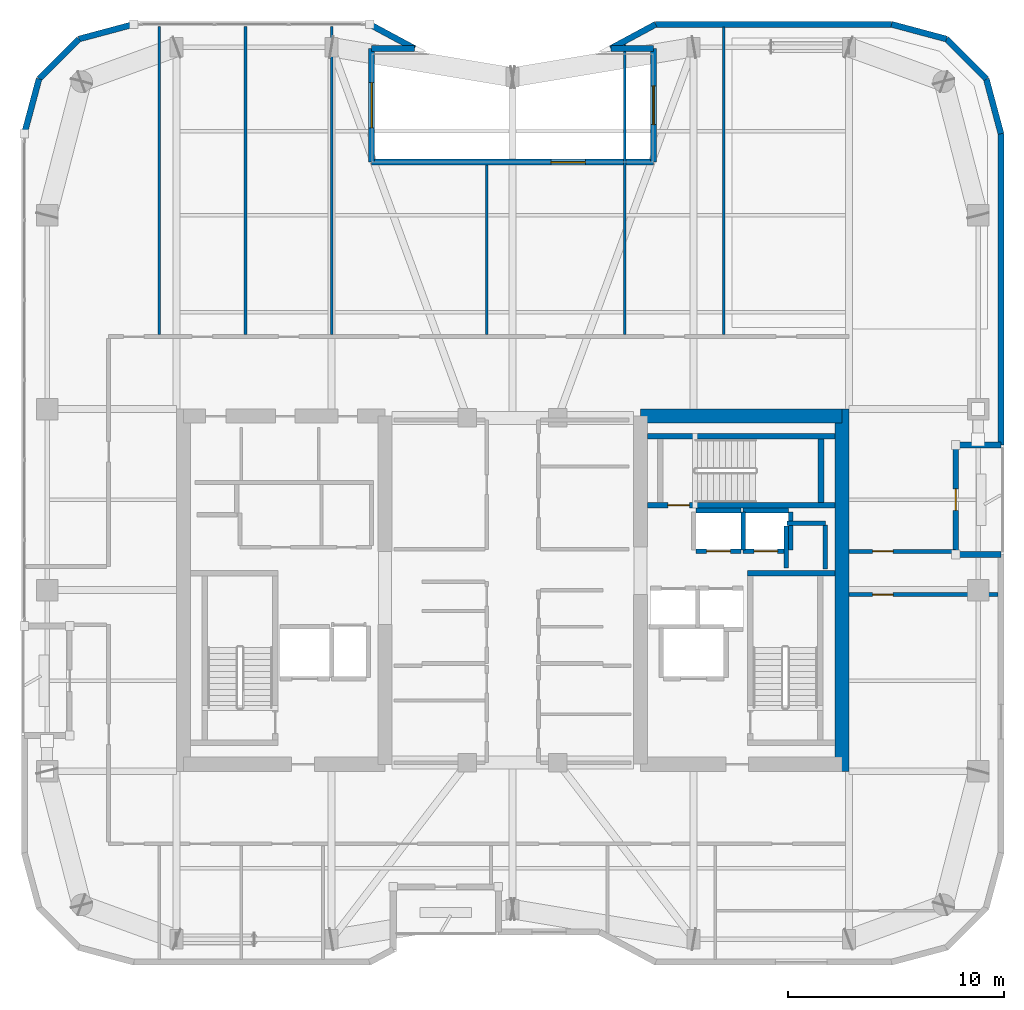
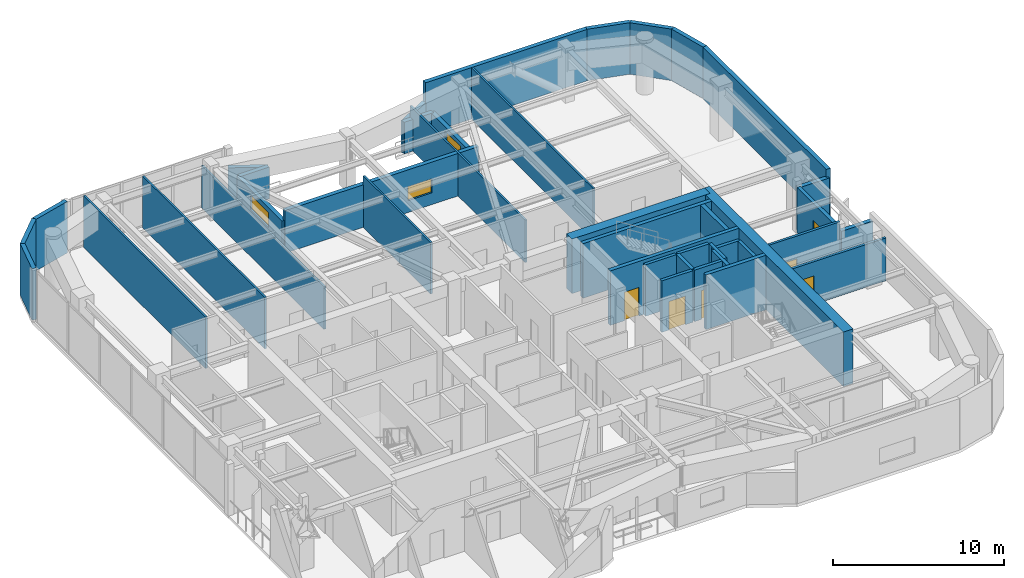
# One storey, part 18 of 22: 41 walls, 6 doors, 3 windows, 9 openings.
"""IFC4 building model written with IfcOpenShell, lengths in metres."""

from ifc_helpers import new_model, si_unit, direction, frame, frame_2d, origin, place, context, subcontext, project, spatial, rectangle, extrude, material, layer, layer_set, type_object, element, fill, save


model = new_model("IFC4")

# Units and contexts
model_context = context("Model", 3, precision=1e-05, world=origin(), true_north=direction((0.0, 1.0)))
body_context = subcontext(model_context, "Body", "Model", "MODEL_VIEW")
ifc_project = project(units=[si_unit("LENGTHUNIT", "METRE"), si_unit("AREAUNIT", "SQUARE_METRE"), si_unit("VOLUMEUNIT", "CUBIC_METRE"), si_unit("PLANEANGLEUNIT", "RADIAN"), si_unit("MASSUNIT", "GRAM", prefix="KILO")], contexts=[model_context])

# Site, building, storey
site_placement = place(None, origin())
site = spatial("IfcSite", under=ifc_project, at=site_placement, CompositionType="ELEMENT")
building_placement = place(site_placement, origin())
building = spatial("IfcBuilding", under=site, at=building_placement, Name="Kiyonajd Concourse Tower", CompositionType="ELEMENT")
storey_placement = place(building_placement, frame((0.0, 0.0, 243.300048828125)))
storey = spatial("IfcBuildingStorey", under=building, at=storey_placement, Name="L61", CompositionType="ELEMENT", Elevation=243.300048828125)

# Walls
ifc_material_1 = material(Name="Concrete C60/75", Category="concrete")
ifc_layer_1 = layer(ifc_material_1, 0.64990234375)
ifc_layer_set_1 = layer_set([ifc_layer_1], Name="Concrete C60/75")
wall_type_1 = type_object("IfcWallType", Name="WL-CORE-650", PredefinedType="SHEAR", material=ifc_layer_set_1)
wall_1_placement = place(storey_placement, frame((63.27490234375, 27.60009765625, 0.0), z_axis=(0.0, 0.0, 1.0), x_axis=(0.0, 1.0, 0.0)))
element("IfcWall", 1, at=wall_1_placement, inside=storey, type_object=wall_type_1, Name="L61 East Core Outer Shear Wall", PredefinedType="SHEAR", context=body_context, shape_type="SweptSolid", body=[
    extrude(rectangle(XDim=16.7998046875, YDim=0.64990234375, at=frame_2d((8.39990234375, 0.0))), origin(), (0.0, 0.0, 1.0), 3.89990234375),
])
wall_2_placement = place(storey_placement, frame((53.925048828125, 44.074951171875, 0.0), z_axis=(0.0, 0.0, 1.0), x_axis=(1.0, 0.0, 0.0)))
element("IfcWall", 2, at=wall_2_placement, inside=storey, type_object=wall_type_1, Name="L61 East Core North Shear Wall", PredefinedType="SHEAR", context=body_context, shape_type="SweptSolid", body=[
    extrude(rectangle(XDim=9.349853515625, YDim=0.64990234375, at=frame_2d((4.6748046875, 0.0))), origin(), (0.0, 0.0, 1.0), 3.89990234375),
])
ifc_material_2 = material(Name="Precast concrete C50/60", Category="concrete")
ifc_layer_2 = layer(ifc_material_2, 0.280029296875)
ifc_layer_set_2 = layer_set([ifc_layer_2], Name="Precast concrete C50/60")
wall_type_2 = type_object("IfcWallType", Name="WL-EXT-280", PredefinedType="SOLIDWALL", material=ifc_layer_set_2)
wall_3_placement = place(storey_placement, frame((25.340087890625, 57.181640625, 0.0), z_axis=(0.0, 0.0, 1.0), x_axis=(0.2588904131, 0.965906700466, 0.0)))
element("IfcWall", 3, at=wall_3_placement, inside=storey, type_object=wall_type_2, Name="L61 Exterior Concrete Frame Wall 06", PredefinedType="SOLIDWALL", context=body_context, shape_type="SweptSolid", body=[
    extrude(rectangle(XDim=2.6357421875, YDim=0.280029296875, at=frame_2d((1.31787109375, 0.0))), origin(), (0.0, 0.0, 1.0), 3.679931640625),
])
wall_4_placement = place(storey_placement, frame((26.0224609375, 59.7275390625, 0.0), z_axis=(0.0, 0.0, 1.0), x_axis=(0.707153437963, 0.707060121331, 0.0)))
element("IfcWall", 4, at=wall_4_placement, inside=storey, type_object=wall_type_2, Name="L61 Exterior Concrete Frame Wall 07", PredefinedType="SOLIDWALL", context=body_context, shape_type="SweptSolid", body=[
    extrude(rectangle(XDim=2.6162109375, YDim=0.280029296875, at=frame_2d((1.30810546875, 0.0))), origin(), (0.0, 0.0, 1.0), 3.679931640625),
])
wall_5_placement = place(storey_placement, frame((27.87255859375, 61.577392578125, 0.0), z_axis=(0.0, 0.0, 1.0), x_axis=(0.965883534663, 0.258976828051, 0.0)))
element("IfcWall", 5, at=wall_5_placement, inside=storey, type_object=wall_type_2, Name="L61 Exterior Concrete Frame Wall 08", PredefinedType="SOLIDWALL", context=body_context, shape_type="SweptSolid", body=[
    extrude(rectangle(XDim=2.6357421875, YDim=0.280029296875, at=frame_2d((1.31787109375, 0.0))), origin(), (0.0, 0.0, 1.0), 3.679931640625),
])
wall_6_placement = place(storey_placement, frame((41.36474609375, 62.260009765625, 0.0), z_axis=(0.0, 0.0, 1.0), x_axis=(0.880434593123, -0.474167615125, 0.0)))
element("IfcWall", 6, at=wall_6_placement, inside=storey, type_object=wall_type_2, Name="L61 Exterior Concrete Frame Wall 10", PredefinedType="SOLIDWALL", context=body_context, shape_type="SweptSolid", body=[
    extrude(rectangle(XDim=2.3623046875, YDim=0.280029296875, at=frame_2d((1.18115234375, 0.0))), origin(), (0.0, 0.0, 1.0), 2.264892578125),
])
wall_7_placement = place(storey_placement, frame((43.444580078125, 61.139892578125, 0.0), z_axis=(0.0, 0.0, 1.0), x_axis=(-1.0, 0.0, 0.0)))
element("IfcWall", 7, at=wall_7_placement, inside=storey, type_object=wall_type_2, Name="L61 Exterior Concrete Frame Wall 11", PredefinedType="SOLIDWALL", context=body_context, shape_type="SweptSolid", body=[
    extrude(rectangle(XDim=1.984619140625, YDim=0.280029296875, at=frame_2d((0.9921875, 0.0))), origin(), (0.0, 0.0, 1.0), 2.264892578125),
])

# Wall, opening, window
wall_8_placement = place(storey_placement, frame((41.4599609375, 61.139892578125, 0.0), z_axis=(0.0, 0.0, 1.0), x_axis=(0.0, -1.0, 0.0)))
wall_8 = element("IfcWall", 8, at=wall_8_placement, inside=storey, type_object=wall_type_2, Name="L61 Exterior Concrete Frame Wall 12", PredefinedType="SOLIDWALL", context=body_context, shape_type="SweptSolid", body=[
    extrude(rectangle(XDim=5.27978515625, YDim=0.280029296875, at=frame_2d((2.639892578125, 0.0))), origin(), (0.0, 0.0, 1.0), 2.264892578125),
])
opening_1_placement = place(wall_8_placement, frame((1.590087890625, 0.0, 0.85009765625)))
opening_1 = element("IfcOpeningElement", 9, at=opening_1_placement, cuts=wall_8, Name="Opening WN5", PredefinedType="OPENING", context=body_context, shape_type="SweptSolid", body=[
    extrude(rectangle(XDim=2.10009765625, YDim=1.050048828125, at=frame_2d((1.050048828125, 0.52490234375))), frame((0.0, 0.14990234375, 0.0), z_axis=(0.0, -1.0, 0.0), x_axis=(1.0, 0.0, 0.0)), (0.0, 0.0, 1.0), 0.300048828125),
])
ifc_material_3 = material(Name="Double Low-E Insulated Glass", Category="glass")
window_type_1 = type_object("IfcWindowType", Name="WN-VIS-2100x1050", PartitioningType="SINGLE_PANEL", PredefinedType="WINDOW", material=ifc_material_3)
window_1_placement = place(opening_1_placement, origin())
window_1 = element("IfcWindow", 10, at=window_1_placement, inside=storey, type_object=window_type_1, Name="L61 Modular Facade Vision Window 12", OverallHeight=1.050048828125, OverallWidth=2.10009765625, PartitioningType="SINGLE_PANEL", PredefinedType="WINDOW", context=body_context, shape_type="SweptSolid", body=[
    extrude(rectangle(XDim=2.10009765625, YDim=1.050048828125, at=frame_2d((1.050048828125, 0.52490234375))), frame((0.0, 0.030029296875, 0.0), z_axis=(0.0, -1.0, 0.0), x_axis=(1.0, 0.0, 0.0)), (0.0, 0.0, 1.0), 0.06005859375),
])
fill(opening_1, window_1)

wall_9_placement = place(storey_placement, frame((41.4599609375, 55.860107421875, 0.0), z_axis=(0.0, 0.0, 1.0), x_axis=(1.0, 0.0, 0.0)))
wall_9 = element("IfcWall", 11, at=wall_9_placement, inside=storey, type_object=wall_type_2, Name="L61 Exterior Concrete Frame Wall 13", PredefinedType="SOLIDWALL", context=body_context, shape_type="SweptSolid", body=[
    extrude(rectangle(XDim=13.080078125, YDim=0.280029296875, at=frame_2d((6.5400390625, 0.0))), origin(), (0.0, 0.0, 1.0), 3.04296875),
])
opening_2_placement = place(wall_9_placement, frame((8.31494140625, 0.0, 0.85009765625)))
opening_2 = element("IfcOpeningElement", 12, at=opening_2_placement, cuts=wall_9, Name="Opening WN6", PredefinedType="OPENING", context=body_context, shape_type="SweptSolid", body=[
    extrude(rectangle(XDim=1.60009765625, YDim=1.0, at=frame_2d((0.800048828125, 0.5))), frame((0.0, 0.14990234375, 0.0), z_axis=(0.0, -1.0, 0.0), x_axis=(1.0, 0.0, 0.0)), (0.0, 0.0, 1.0), 0.300048828125),
])
window_type_2 = type_object("IfcWindowType", Name="WN-VIS-1600x1000", PartitioningType="SINGLE_PANEL", PredefinedType="WINDOW", material=ifc_material_3)
window_2_placement = place(opening_2_placement, origin())
window_2 = element("IfcWindow", 13, at=window_2_placement, inside=storey, type_object=window_type_2, Name="L61 Modular Facade Vision Window 13", OverallHeight=1.0, OverallWidth=1.60009765625, PartitioningType="SINGLE_PANEL", PredefinedType="WINDOW", context=body_context, shape_type="SweptSolid", body=[
    extrude(rectangle(XDim=1.60009765625, YDim=1.0, at=frame_2d((0.800048828125, 0.5))), frame((0.0, 0.030029296875, 0.0), z_axis=(0.0, -1.0, 0.0), x_axis=(1.0, 0.0, 0.0)), (0.0, 0.0, 1.0), 0.06005859375),
])
fill(opening_2, window_2)

wall_10_placement = place(storey_placement, frame((54.5400390625, 55.860107421875, 0.0), z_axis=(0.0, 0.0, 1.0), x_axis=(0.0, 1.0, 0.0)))
wall_10 = element("IfcWall", 14, at=wall_10_placement, inside=storey, type_object=wall_type_2, Name="L61 Exterior Concrete Frame Wall 14", PredefinedType="SOLIDWALL", context=body_context, shape_type="SweptSolid", body=[
    extrude(rectangle(XDim=5.27978515625, YDim=0.280029296875, at=frame_2d((2.639892578125, 0.0))), origin(), (0.0, 0.0, 1.0), 2.264892578125),
])
opening_3_placement = place(wall_10_placement, frame((1.739990234375, 0.0, 0.85009765625)))
opening_3 = element("IfcOpeningElement", 15, at=opening_3_placement, cuts=wall_10, Name="Opening WN1", PredefinedType="OPENING", context=body_context, shape_type="SweptSolid", body=[
    extrude(rectangle(XDim=1.800048828125, YDim=1.10009765625, at=frame_2d((0.89990234375, 0.550048828125))), frame((0.0, 0.14990234375, 0.0), z_axis=(0.0, -1.0, 0.0), x_axis=(1.0, 0.0, 0.0)), (0.0, 0.0, 1.0), 0.300048828125),
])
window_type_3 = type_object("IfcWindowType", Name="WN-VIS-1800x1100", PartitioningType="SINGLE_PANEL", PredefinedType="WINDOW", material=ifc_material_3)
window_3_placement = place(opening_3_placement, origin())
window_3 = element("IfcWindow", 16, at=window_3_placement, inside=storey, type_object=window_type_3, Name="L61 Modular Facade Vision Window 14", OverallHeight=1.10009765625, OverallWidth=1.800048828125, PartitioningType="SINGLE_PANEL", PredefinedType="WINDOW", context=body_context, shape_type="SweptSolid", body=[
    extrude(rectangle(XDim=1.800048828125, YDim=1.10009765625, at=frame_2d((0.89990234375, 0.550048828125))), frame((0.0, 0.030029296875, 0.0), z_axis=(0.0, -1.0, 0.0), x_axis=(1.0, 0.0, 0.0)), (0.0, 0.0, 1.0), 0.06005859375),
])
fill(opening_3, window_3)

# Walls
wall_11_placement = place(storey_placement, frame((54.5400390625, 61.139892578125, 0.0), z_axis=(0.0, 0.0, 1.0), x_axis=(-1.0, 0.0, 0.0)))
element("IfcWall", 17, at=wall_11_placement, inside=storey, type_object=wall_type_2, Name="L61 Exterior Concrete Frame Wall 15", PredefinedType="SOLIDWALL", context=body_context, shape_type="SweptSolid", body=[
    extrude(rectangle(XDim=1.984619140625, YDim=0.280029296875, at=frame_2d((0.9921875, 0.0))), origin(), (0.0, 0.0, 1.0), 2.264892578125),
])
wall_12_placement = place(storey_placement, frame((52.555419921875, 61.139892578125, 0.0), z_axis=(0.0, 0.0, 1.0), x_axis=(0.880434593123, 0.474167615125, 0.0)))
element("IfcWall", 18, at=wall_12_placement, inside=storey, type_object=wall_type_2, Name="L61 Exterior Concrete Frame Wall 16", PredefinedType="SOLIDWALL", context=body_context, shape_type="SweptSolid", body=[
    extrude(rectangle(XDim=2.3623046875, YDim=0.280029296875, at=frame_2d((1.18115234375, 0.0))), origin(), (0.0, 0.0, 1.0), 2.264892578125),
])
wall_13_placement = place(storey_placement, frame((54.63525390625, 62.260009765625, 0.0), z_axis=(0.0, 0.0, 1.0), x_axis=(1.0, 0.0, 0.0)))
element("IfcWall", 19, at=wall_13_placement, inside=storey, type_object=wall_type_2, Name="L61 Exterior Concrete Frame Wall 17", PredefinedType="SOLIDWALL", context=body_context, shape_type="SweptSolid", body=[
    extrude(rectangle(XDim=10.9462890625, YDim=0.280029296875, at=frame_2d((5.47314453125, 0.0))), origin(), (0.0, 0.0, 1.0), 3.679931640625),
])
wall_14_placement = place(storey_placement, frame((65.58154296875, 62.260009765625, 0.0), z_axis=(0.0, 0.0, 1.0), x_axis=(0.965883534663, -0.258976828051, 0.0)))
element("IfcWall", 20, at=wall_14_placement, inside=storey, type_object=wall_type_2, Name="L61 Exterior Concrete Frame Wall 18", PredefinedType="SOLIDWALL", context=body_context, shape_type="SweptSolid", body=[
    extrude(rectangle(XDim=2.6357421875, YDim=0.280029296875, at=frame_2d((1.31787109375, 0.0))), origin(), (0.0, 0.0, 1.0), 3.679931640625),
])
wall_15_placement = place(storey_placement, frame((68.12744140625, 61.577392578125, 0.0), z_axis=(0.0, 0.0, 1.0), x_axis=(0.707153437963, -0.707060121331, 0.0)))
element("IfcWall", 21, at=wall_15_placement, inside=storey, type_object=wall_type_2, Name="L61 Exterior Concrete Frame Wall 19", PredefinedType="SOLIDWALL", context=body_context, shape_type="SweptSolid", body=[
    extrude(rectangle(XDim=2.6162109375, YDim=0.280029296875, at=frame_2d((1.30810546875, 0.0))), origin(), (0.0, 0.0, 1.0), 3.679931640625),
])
wall_16_placement = place(storey_placement, frame((69.9775390625, 59.7275390625, 0.0), z_axis=(0.0, 0.0, 1.0), x_axis=(0.2588904131, -0.965906700466, 0.0)))
element("IfcWall", 22, at=wall_16_placement, inside=storey, type_object=wall_type_2, Name="L61 Exterior Concrete Frame Wall 20", PredefinedType="SOLIDWALL", context=body_context, shape_type="SweptSolid", body=[
    extrude(rectangle(XDim=2.6357421875, YDim=0.280029296875, at=frame_2d((1.31787109375, 0.0))), origin(), (0.0, 0.0, 1.0), 3.679931640625),
])
wall_17_placement = place(storey_placement, frame((70.659912109375, 57.181640625, 0.0), z_axis=(0.0, 0.0, 1.0), x_axis=(0.0, -1.0, 0.0)))
element("IfcWall", 23, at=wall_17_placement, inside=storey, type_object=wall_type_2, Name="L61 Exterior Concrete Frame Wall 21", PredefinedType="SOLIDWALL", context=body_context, shape_type="SweptSolid", body=[
    extrude(rectangle(XDim=14.441650390625, YDim=0.280029296875, at=frame_2d((7.220703125, 0.0))), origin(), (0.0, 0.0, 1.0), 3.679931640625),
])
for number, where, z_axis, x_axis, name in (
    (24, (70.659912109375, 42.739990234375, 0.0), (0.0, 0.0, 1.0), (-1.0, 0.0, 0.0), "L61 Exterior Concrete Frame Wall 22"),
    (25, (68.56005859375, 37.659912109375, 0.0), (0.0, 0.0, 1.0), (1.0, 0.0, 0.0), "L61 Exterior Concrete Frame Wall 24"),
):
    element("IfcWall", number, at=place(storey_placement, frame(where, z_axis=z_axis, x_axis=x_axis)), inside=storey, type_object=wall_type_2, Name=name, PredefinedType="SOLIDWALL", context=body_context, shape_type="SweptSolid", body=[
        extrude(rectangle(XDim=2.099853515625, YDim=0.280029296875, at=frame_2d((1.0498046875, 0.0))), origin(), (0.0, 0.0, 1.0), 3.115966796875),
    ])

# Wall, opening, door
ifc_layer_3 = layer(ifc_material_2, 0.239990234375)
ifc_layer_set_3 = layer_set([ifc_layer_3], Name="Precast concrete C50/60")
wall_type_3 = type_object("IfcWallType", Name="WL-LOG-240", PredefinedType="SOLIDWALL", material=ifc_layer_set_3)
wall_18_placement = place(storey_placement, frame((68.56005859375, 42.544921875, 0.0), z_axis=(0.0, 0.0, 1.0), x_axis=(0.0, -1.0, 0.0)))
wall_18 = element("IfcWall", 26, at=wall_18_placement, inside=storey, type_object=wall_type_3, Name="L61 Recessed Loggia Thermal Wall LOG-E", PredefinedType="SOLIDWALL", context=body_context, shape_type="SweptSolid", body=[
    extrude(rectangle(XDim=4.68994140625, YDim=0.239990234375, at=frame_2d((2.344970703125, 0.0))), origin(), (0.0, 0.0, 1.0), 3.248046875),
])
opening_4_placement = place(wall_18_placement, frame((1.844970703125, 0.0, 0.0)))
opening_4 = element("IfcOpeningElement", 27, at=opening_4_placement, cuts=wall_18, Name="Opening DL1", PredefinedType="OPENING", context=body_context, shape_type="SweptSolid", body=[
    extrude(rectangle(XDim=1.0, YDim=2.02001953125, at=frame_2d((0.5, 1.010009765625))), frame((0.0, 0.1298828125, 0.0), z_axis=(0.0, -1.0, 0.0), x_axis=(1.0, 0.0, 0.0)), (0.0, 0.0, 1.0), 0.260009765625),
])
ifc_material_4 = material(Name="Thermally Broken Anodised Aluminium", Category="aluminium")
door_type_1 = type_object("IfcDoorType", Name="DR-LOG-1000", OperationType="NOTDEFINED", PredefinedType="DOOR", material=ifc_material_4)
door_1_placement = place(opening_4_placement, origin())
door_1 = element("IfcDoor", 28, at=door_1_placement, inside=storey, type_object=door_type_1, Name="L61 Engawa Loggia Access Door LOG-E", OperationType="SINGLE_SWING_LEFT", OverallHeight=2.02001953125, OverallWidth=1.0, PredefinedType="DOOR", context=body_context, shape_type="SweptSolid", body=[
    extrude(rectangle(XDim=1.0, YDim=2.02001953125, at=frame_2d((0.5, 1.010009765625))), frame((0.0, 0.02490234375, 0.0), z_axis=(0.0, -1.0, 0.0), x_axis=(1.0, 0.0, 0.0)), (0.0, 0.0, 1.0), 0.050048828125),
])
fill(opening_4, door_1)

# Walls
ifc_material_5 = material(Name="Gypsum Board on Cold-Formed Steel Stud", Category="steel")
ifc_layer_4 = layer(ifc_material_5, 0.125)
ifc_layer_set_4 = layer_set([ifc_layer_4], Name="Gypsum Board on Cold-Formed Steel Stud")
wall_type_4 = type_object("IfcWallType", Name="WL-PART-125", PredefinedType="PARTITIONING", material=ifc_layer_set_4)
for number, where, z_axis, x_axis, name in (
    (29, (31.60009765625, 47.85693359375, 0.0), (0.0, 0.0, 1.0), (0.0, 1.0, 0.0), "L61 Interior Partition Wall"),
    (30, (35.60009765625, 47.85693359375, 0.0), (0.0, 0.0, 1.0), (0.0, 1.0, 0.0), "L61 Interior Partition Wall"),
):
    element("IfcWall", number, at=place(storey_placement, frame(where, z_axis=z_axis, x_axis=x_axis)), inside=storey, type_object=wall_type_4, Name=name, PredefinedType="PARTITIONING", context=body_context, shape_type="SweptSolid", body=[
        extrude(rectangle(XDim=14.30810546875, YDim=0.125, at=frame_2d((7.154052734375, 0.0))), origin(), (0.0, 0.0, 1.0), 3.679931640625),
    ])
wall_19_placement = place(storey_placement, frame((39.60009765625, 47.85693359375, 0.0), z_axis=(0.0, 0.0, 1.0), x_axis=(0.0, 1.0, 0.0)))
element("IfcWall", 31, at=wall_19_placement, inside=storey, type_object=wall_type_4, Name="L61 Interior Partition Wall", PredefinedType="PARTITIONING", context=body_context, shape_type="SweptSolid", body=[
    extrude(rectangle(XDim=14.30810546875, YDim=0.125, at=frame_2d((7.154052734375, 0.0))), origin(), (0.0, 0.0, 1.0), 3.04296875),
])
wall_20_placement = place(storey_placement, frame((46.800048828125, 47.85693359375, 0.0), z_axis=(0.0, 0.0, 1.0), x_axis=(0.0, 1.0, 0.0)))
element("IfcWall", 32, at=wall_20_placement, inside=storey, type_object=wall_type_4, Name="L61 Interior Partition Wall", PredefinedType="PARTITIONING", context=body_context, shape_type="SweptSolid", body=[
    extrude(rectangle(XDim=7.8681640625, YDim=0.125, at=frame_2d((3.93408203125, 0.0))), origin(), (0.0, 0.0, 1.0), 3.679931640625),
])
wall_21_placement = place(storey_placement, frame((53.199951171875, 47.85693359375, 0.0), z_axis=(0.0, 0.0, 1.0), x_axis=(0.0, 1.0, 0.0)))
element("IfcWall", 33, at=wall_21_placement, inside=storey, type_object=wall_type_4, Name="L61 Interior Partition Wall", PredefinedType="PARTITIONING", context=body_context, shape_type="SweptSolid", body=[
    extrude(rectangle(XDim=13.47509765625, YDim=0.125, at=frame_2d((6.737548828125, 0.0))), origin(), (0.0, 0.0, 1.0), 3.04296875),
])
wall_22_placement = place(storey_placement, frame((57.800048828125, 47.85693359375, 0.0), z_axis=(0.0, 0.0, 1.0), x_axis=(0.0, 1.0, 0.0)))
element("IfcWall", 34, at=wall_22_placement, inside=storey, type_object=wall_type_4, Name="L61 Interior Partition Wall", PredefinedType="PARTITIONING", context=body_context, shape_type="SweptSolid", body=[
    extrude(rectangle(XDim=14.26806640625, YDim=0.125, at=frame_2d((7.134033203125, 0.0))), origin(), (0.0, 0.0, 1.0), 3.679931640625),
])
ifc_layer_5 = layer(ifc_material_5, 0.2099609375)
ifc_layer_set_5 = layer_set([ifc_layer_5], Name="Gypsum Board on Cold-Formed Steel Stud")
wall_type_5 = type_object("IfcWallType", Name="WL-SHAFT-210", PredefinedType="PARTITIONING", material=ifc_layer_set_5)
wall_23_placement = place(storey_placement, frame((60.719970703125, 39.10009765625, 0.0), z_axis=(0.0, 0.0, 1.0), x_axis=(1.0, 0.0, 0.0)))
element("IfcWall", 35, at=wall_23_placement, inside=storey, type_object=wall_type_5, Name="L61 Shaft Enclosure Wall", PredefinedType="PARTITIONING", context=body_context, shape_type="SweptSolid", body=[
    extrude(rectangle(XDim=1.800048828125, YDim=0.2099609375, at=frame_2d((0.89990234375, 0.0))), origin(), (0.0, 0.0, 1.0), 3.679931640625),
])
wall_24_placement = place(storey_placement, frame((60.699951171875, 37.02001953125, 0.0), z_axis=(0.0, 0.0, 1.0), x_axis=(0.0, 1.0, 0.0)))
element("IfcWall", 36, at=wall_24_placement, inside=storey, type_object=wall_type_5, Name="L61 Shaft Enclosure Wall", PredefinedType="PARTITIONING", context=body_context, shape_type="SweptSolid", body=[
    extrude(rectangle(XDim=1.9599609375, YDim=0.2099609375, at=frame_2d((0.97998046875, 0.0))), origin(), (0.0, 0.0, 1.0), 3.679931640625),
])
wall_25_placement = place(storey_placement, frame((62.5, 36.97998046875, 0.0), z_axis=(0.0, 0.0, 1.0), x_axis=(0.0, 1.0, 0.0)))
element("IfcWall", 37, at=wall_25_placement, inside=storey, type_object=wall_type_5, Name="L61 Shaft Enclosure Wall", PredefinedType="PARTITIONING", context=body_context, shape_type="SweptSolid", body=[
    extrude(rectangle(XDim=2.0400390625, YDim=0.2099609375, at=frame_2d((1.02001953125, 0.0))), origin(), (0.0, 0.0, 1.0), 3.679931640625),
])

# Wall, opening, door
wall_26_placement = place(storey_placement, frame((56.5, 37.800048828125, 0.0), z_axis=(0.0, 0.0, 1.0), x_axis=(1.0, 0.0, 0.0)))
wall_26 = element("IfcWall", 38, at=wall_26_placement, inside=storey, type_object=wall_type_5, Name="L61 Shaft Enclosure Wall", PredefinedType="PARTITIONING", context=body_context, shape_type="SweptSolid", body=[
    extrude(rectangle(XDim=2.10009765625, YDim=0.2099609375, at=frame_2d((1.050048828125, 0.0))), origin(), (0.0, 0.0, 1.0), 3.679931640625),
])
opening_5_placement = place(wall_26_placement, frame((0.5, 0.0, 0.0)))
opening_5 = element("IfcOpeningElement", 39, at=opening_5_placement, cuts=wall_26, Name="Opening LD1", PredefinedType="OPENING", context=body_context, shape_type="SweptSolid", body=[
    extrude(rectangle(XDim=1.10009765625, YDim=2.0400390625, at=frame_2d((0.550048828125, 1.02001953125))), frame((0.0, 0.114990234375, 0.0), z_axis=(0.0, -1.0, 0.0), x_axis=(1.0, 0.0, 0.0)), (0.0, 0.0, 1.0), 0.22998046875),
])
ifc_material_6 = material(Name="Brushed Stainless Steel Cab Assembly", Category="steel")
door_type_2 = type_object("IfcDoorType", Name="DR-LD-1100", OperationType="DOUBLE_DOOR_SLIDING", PredefinedType="DOOR", material=ifc_material_6)
door_2_placement = place(opening_5_placement, origin())
door_2 = element("IfcDoor", 40, at=door_2_placement, inside=storey, type_object=door_type_2, Name="L61 Lift PL-H3 Sliding Landing Door", OperationType="DOUBLE_DOOR_SLIDING", OverallHeight=2.0400390625, OverallWidth=1.10009765625, PredefinedType="DOOR", context=body_context, shape_type="SweptSolid", body=[
    extrude(rectangle(XDim=1.10009765625, YDim=2.0400390625, at=frame_2d((0.550048828125, 1.02001953125))), frame((0.0, 0.02490234375, 0.0), z_axis=(0.0, -1.0, 0.0), x_axis=(1.0, 0.0, 0.0)), (0.0, 0.0, 1.0), 0.050048828125),
])
fill(opening_5, door_2)

# Walls
wall_27_placement = place(storey_placement, frame((56.5, 39.699951171875, 0.0), z_axis=(0.0, 0.0, 1.0), x_axis=(1.0, 0.0, 0.0)))
element("IfcWall", 41, at=wall_27_placement, inside=storey, type_object=wall_type_5, Name="L61 Shaft Enclosure Wall", PredefinedType="PARTITIONING", context=body_context, shape_type="SweptSolid", body=[
    extrude(rectangle(XDim=2.10009765625, YDim=0.2099609375, at=frame_2d((1.050048828125, 0.0))), origin(), (0.0, 0.0, 1.0), 3.679931640625),
])
wall_28_placement = place(storey_placement, frame((58.699951171875, 37.860107421875, 0.0), z_axis=(0.0, 0.0, 1.0), x_axis=(0.0, 1.0, 0.0)))
element("IfcWall", 42, at=wall_28_placement, inside=storey, type_object=wall_type_5, Name="L61 Shaft Enclosure Wall", PredefinedType="PARTITIONING", context=body_context, shape_type="SweptSolid", body=[
    extrude(rectangle(XDim=1.77978515625, YDim=0.2099609375, at=frame_2d((0.889892578125, 0.0))), origin(), (0.0, 0.0, 1.0), 3.679931640625),
])

# Wall, opening, door
wall_29_placement = place(storey_placement, frame((58.699951171875, 37.800048828125, 0.0), z_axis=(0.0, 0.0, 1.0), x_axis=(1.0, 0.0, 0.0)))
wall_29 = element("IfcWall", 43, at=wall_29_placement, inside=storey, type_object=wall_type_5, Name="L61 Shaft Enclosure Wall", PredefinedType="PARTITIONING", context=body_context, shape_type="SweptSolid", body=[
    extrude(rectangle(XDim=2.10009765625, YDim=0.2099609375, at=frame_2d((1.050048828125, 0.0))), origin(), (0.0, 0.0, 1.0), 3.679931640625),
])
opening_6_placement = place(wall_29_placement, frame((0.5, 0.0, 0.0)))
opening_6 = element("IfcOpeningElement", 44, at=opening_6_placement, cuts=wall_29, Name="Opening LD1", PredefinedType="OPENING", context=body_context, shape_type="SweptSolid", body=[
    extrude(rectangle(XDim=1.10009765625, YDim=2.0400390625, at=frame_2d((0.550048828125, 1.02001953125))), frame((0.0, 0.114990234375, 0.0), z_axis=(0.0, -1.0, 0.0), x_axis=(1.0, 0.0, 0.0)), (0.0, 0.0, 1.0), 0.22998046875),
])
door_3_placement = place(opening_6_placement, origin())
door_3 = element("IfcDoor", 45, at=door_3_placement, inside=storey, type_object=door_type_2, Name="L61 Lift PL-H4 Sliding Landing Door", OperationType="DOUBLE_DOOR_SLIDING", OverallHeight=2.0400390625, OverallWidth=1.10009765625, PredefinedType="DOOR", context=body_context, shape_type="SweptSolid", body=[
    extrude(rectangle(XDim=1.10009765625, YDim=2.0400390625, at=frame_2d((0.550048828125, 1.02001953125))), frame((0.0, 0.02490234375, 0.0), z_axis=(0.0, -1.0, 0.0), x_axis=(1.0, 0.0, 0.0)), (0.0, 0.0, 1.0), 0.050048828125),
])
fill(opening_6, door_3)

# Walls
wall_30_placement = place(storey_placement, frame((58.699951171875, 39.699951171875, 0.0), z_axis=(0.0, 0.0, 1.0), x_axis=(1.0, 0.0, 0.0)))
element("IfcWall", 46, at=wall_30_placement, inside=storey, type_object=wall_type_5, Name="L61 Shaft Enclosure Wall", PredefinedType="PARTITIONING", context=body_context, shape_type="SweptSolid", body=[
    extrude(rectangle(XDim=2.10009765625, YDim=0.2099609375, at=frame_2d((1.050048828125, 0.0))), origin(), (0.0, 0.0, 1.0), 3.679931640625),
])
wall_31_placement = place(storey_placement, frame((60.89990234375, 37.860107421875, 0.0), z_axis=(0.0, 0.0, 1.0), x_axis=(0.0, 1.0, 0.0)))
element("IfcWall", 47, at=wall_31_placement, inside=storey, type_object=wall_type_5, Name="L61 Shaft Enclosure Wall", PredefinedType="PARTITIONING", context=body_context, shape_type="SweptSolid", body=[
    extrude(rectangle(XDim=1.77978515625, YDim=0.2099609375, at=frame_2d((0.889892578125, 0.0))), origin(), (0.0, 0.0, 1.0), 3.679931640625),
])

# Wall, opening, door
ifc_layer_6 = layer(ifc_material_5, 0.169921875)
ifc_layer_set_6 = layer_set([ifc_layer_6], Name="Gypsum Board on Cold-Formed Steel Stud")
wall_type_6 = type_object("IfcWallType", Name="WL-SMK-170", PredefinedType="PARTITIONING", material=ifc_layer_set_6)
wall_32_placement = place(storey_placement, frame((63.60009765625, 35.800048828125, 0.0), z_axis=(0.0, 0.0, 1.0), x_axis=(1.0, 0.0, 0.0)))
wall_32 = element("IfcWall", 48, at=wall_32_placement, inside=storey, type_object=wall_type_6, Name="L61 Interior Partition Wall", PredefinedType="PARTITIONING", context=body_context, shape_type="SweptSolid", body=[
    extrude(rectangle(XDim=6.9248046875, YDim=0.169921875, at=frame_2d((3.46240234375, 0.0))), origin(), (0.0, 0.0, 1.0), 3.053955078125),
])
opening_7_placement = place(wall_32_placement, frame((1.10009765625, 0.0, 0.0)))
opening_7 = element("IfcOpeningElement", 49, at=opening_7_placement, cuts=wall_32, Name="Opening DI1", PredefinedType="OPENING", context=body_context, shape_type="SweptSolid", body=[
    extrude(rectangle(XDim=0.949951171875, YDim=2.0400390625, at=frame_2d((0.47509765625, 1.02001953125))), frame((0.0, 0.094970703125, 0.0), z_axis=(0.0, -1.0, 0.0), x_axis=(1.0, 0.0, 0.0)), (0.0, 0.0, 1.0), 0.18994140625),
])
ifc_material_7 = material(Name="Natural Oak Acoustic Timber Veneer", Category="wood")
door_type_3 = type_object("IfcDoorType", Name="DR-INT-950", OperationType="NOTDEFINED", PredefinedType="DOOR", material=ifc_material_7)
door_4_placement = place(opening_7_placement, origin())
door_4 = element("IfcDoor", 50, at=door_4_placement, inside=storey, type_object=door_type_3, Name="L61 Interior Door", OperationType="SINGLE_SWING_RIGHT", OverallHeight=2.0400390625, OverallWidth=0.949951171875, PredefinedType="DOOR", context=body_context, shape_type="SweptSolid", body=[
    extrude(rectangle(XDim=0.949951171875, YDim=2.0400390625, at=frame_2d((0.47509765625, 1.02001953125))), frame((0.0, 0.02490234375, 0.0), z_axis=(0.0, -1.0, 0.0), x_axis=(1.0, 0.0, 0.0)), (0.0, 0.0, 1.0), 0.050048828125),
])
fill(opening_7, door_4)

wall_33_placement = place(storey_placement, frame((63.60009765625, 37.800048828125, 0.0), z_axis=(0.0, 0.0, 1.0), x_axis=(1.0, 0.0, 0.0)))
wall_33 = element("IfcWall", 51, at=wall_33_placement, inside=storey, type_object=wall_type_6, Name="L61 Interior Partition Wall", PredefinedType="PARTITIONING", context=body_context, shape_type="SweptSolid", body=[
    extrude(rectangle(XDim=4.9599609375, YDim=0.169921875, at=frame_2d((2.47998046875, 0.0))), origin(), (0.0, 0.0, 1.0), 3.679931640625),
])
opening_8_placement = place(wall_33_placement, frame((1.10009765625, 0.0, 0.0)))
opening_8 = element("IfcOpeningElement", 52, at=opening_8_placement, cuts=wall_33, Name="Opening DI1", PredefinedType="OPENING", context=body_context, shape_type="SweptSolid", body=[
    extrude(rectangle(XDim=0.949951171875, YDim=2.0400390625, at=frame_2d((0.47509765625, 1.02001953125))), frame((0.0, 0.094970703125, 0.0), z_axis=(0.0, -1.0, 0.0), x_axis=(1.0, 0.0, 0.0)), (0.0, 0.0, 1.0), 0.18994140625),
])
door_5_placement = place(opening_8_placement, origin())
door_5 = element("IfcDoor", 53, at=door_5_placement, inside=storey, type_object=door_type_3, Name="L61 Interior Door", OperationType="SINGLE_SWING_LEFT", OverallHeight=2.0400390625, OverallWidth=0.949951171875, PredefinedType="DOOR", context=body_context, shape_type="SweptSolid", body=[
    extrude(rectangle(XDim=0.949951171875, YDim=2.0400390625, at=frame_2d((0.47509765625, 1.02001953125))), frame((0.0, 0.02490234375, 0.0), z_axis=(0.0, -1.0, 0.0), x_axis=(1.0, 0.0, 0.0)), (0.0, 0.0, 1.0), 0.050048828125),
])
fill(opening_8, door_5)

# Wall
ifc_material_8 = material(Name="Concrete C50/60", Category="concrete")
ifc_layer_7 = layer(ifc_material_8, 0.260009765625)
ifc_layer_set_7 = layer_set([ifc_layer_7], Name="Concrete C50/60")
wall_type_7 = type_object("IfcWallType", Name="WL-STAIR-260", PredefinedType="SHEAR", material=ifc_layer_set_7)
wall_34_placement = place(storey_placement, frame((58.889892578125, 36.780029296875, 0.0), z_axis=(0.0, 0.0, 1.0), x_axis=(1.0, 0.0, 0.0)))
element("IfcWall", 54, at=wall_34_placement, inside=storey, type_object=wall_type_7, Name="L61 Stair ST2 Structural North Wall", PredefinedType="SHEAR", context=body_context, shape_type="SweptSolid", body=[
    extrude(rectangle(XDim=4.06005859375, YDim=0.260009765625, at=frame_2d((2.030029296875, 0.0))), origin(), (0.0, 0.0, 1.0), 3.89990234375),
])

# Wall, opening, door
wall_35_placement = place(storey_placement, frame((54.25, 39.949951171875, 0.0), z_axis=(0.0, 0.0, 1.0), x_axis=(1.0, 0.0, 0.0)))
wall_35 = element("IfcWall", 55, at=wall_35_placement, inside=storey, type_object=wall_type_7, Name="L61 Stair ST3 Structural South Wall", PredefinedType="SHEAR", context=body_context, shape_type="SweptSolid", body=[
    extrude(rectangle(XDim=8.699951171875, YDim=0.260009765625, at=frame_2d((4.35009765625, 0.0))), origin(), (0.0, 0.0, 1.0), 3.89990234375),
])
opening_9_placement = place(wall_35_placement, frame((0.949951171875, 0.0, 0.0)))
opening_9 = element("IfcOpeningElement", 56, at=opening_9_placement, cuts=wall_35, Name="Opening DF1", PredefinedType="OPENING", context=body_context, shape_type="SweptSolid", body=[
    extrude(rectangle(XDim=1.0, YDim=2.0400390625, at=frame_2d((0.5, 1.02001953125))), frame((0.0, 0.139892578125, 0.0), z_axis=(0.0, -1.0, 0.0), x_axis=(1.0, 0.0, 0.0)), (0.0, 0.0, 1.0), 0.280029296875),
])
door_type_4 = type_object("IfcDoorType", Name="DR-FD90-1000", OperationType="NOTDEFINED", PredefinedType="DOOR", material=ifc_material_6)
door_6_placement = place(opening_9_placement, origin())
door_6 = element("IfcDoor", 57, at=door_6_placement, inside=storey, type_object=door_type_4, Name="L61 Stair ST3 Enclosure Door", OperationType="SINGLE_SWING_LEFT", OverallHeight=2.0400390625, OverallWidth=1.0, PredefinedType="DOOR", context=body_context, shape_type="SweptSolid", body=[
    extrude(rectangle(XDim=1.0, YDim=2.0400390625, at=frame_2d((0.5, 1.02001953125))), frame((0.0, 0.02490234375, 0.0), z_axis=(0.0, -1.0, 0.0), x_axis=(1.0, 0.0, 0.0)), (0.0, 0.0, 1.0), 0.050048828125),
])
fill(opening_9, door_6)

# Walls
wall_36_placement = place(storey_placement, frame((54.25, 43.14990234375, 0.0), z_axis=(0.0, 0.0, 1.0), x_axis=(1.0, 0.0, 0.0)))
element("IfcWall", 58, at=wall_36_placement, inside=storey, type_object=wall_type_7, Name="L61 Stair ST3 Structural North Wall", PredefinedType="SHEAR", context=body_context, shape_type="SweptSolid", body=[
    extrude(rectangle(XDim=8.699951171875, YDim=0.260009765625, at=frame_2d((4.35009765625, 0.0))), origin(), (0.0, 0.0, 1.0), 3.89990234375),
])
wall_37_placement = place(storey_placement, frame((62.31005859375, 40.080078125, 0.0), z_axis=(0.0, 0.0, 1.0), x_axis=(0.0, 1.0, 0.0)))
element("IfcWall", 59, at=wall_37_placement, inside=storey, type_object=wall_type_7, Name="L61 Stair ST3 Structural East Wall", PredefinedType="SHEAR", context=body_context, shape_type="SweptSolid", body=[
    extrude(rectangle(XDim=2.93994140625, YDim=0.260009765625, at=frame_2d((1.469970703125, 0.0))), origin(), (0.0, 0.0, 1.0), 3.89990234375),
])

save(model, "model.ifc")
